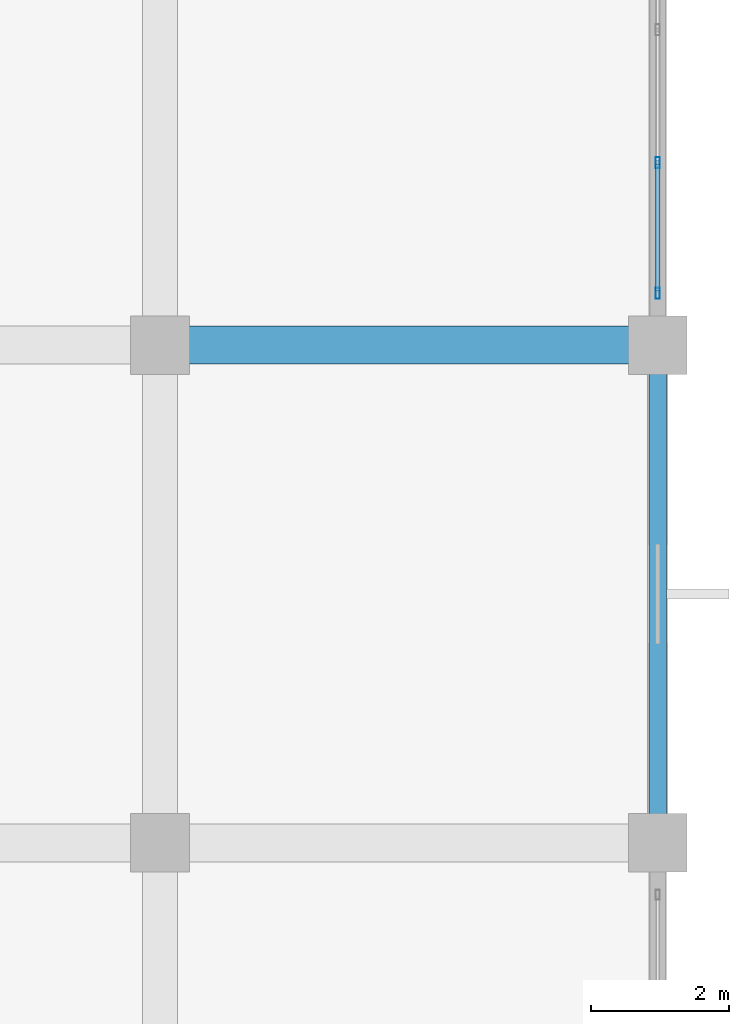
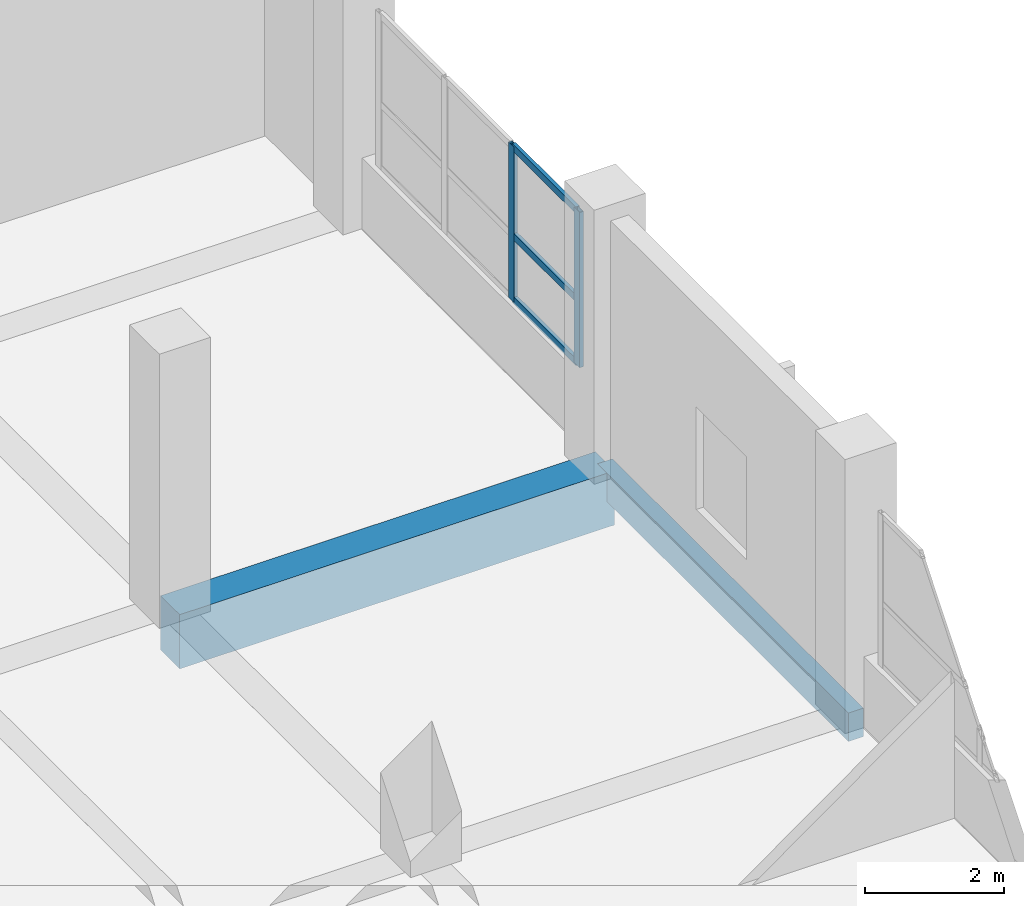
# One storey, part 124 of 181: 5 members, 2 beams, 1 element without a shape of its own.
"""IFC4 building model written with IfcOpenShell, lengths in metres."""

from ifc_helpers import new_model, si_unit, direction, frame, origin, origin_2d, place, context, subcontext, project, spatial, rectangle, hollow_rectangle, extrude, material, layer, layer_set, material_profile, profile_set, type_object, element, aggregate, save


model = new_model("IFC4")

# Units and contexts
model_context = context("Model", 3, precision=1e-05, world=origin(), true_north=direction((0.0, 1.0)))
body_context = subcontext(model_context, "Body", "Model", "MODEL_VIEW")
ifc_project = project(units=[si_unit("LENGTHUNIT", "METRE"), si_unit("AREAUNIT", "SQUARE_METRE"), si_unit("VOLUMEUNIT", "CUBIC_METRE"), si_unit("PLANEANGLEUNIT", "RADIAN"), si_unit("MASSUNIT", "GRAM", prefix="KILO")], contexts=[model_context])

# Site, building, storey
site_placement = place(None, origin())
site = spatial("IfcSite", under=ifc_project, at=site_placement, CompositionType="ELEMENT")
building_placement = place(site_placement, origin())
building = spatial("IfcBuilding", under=site, at=building_placement, Name="Seraya Terrace Polytechnic", CompositionType="ELEMENT")
storey_placement = place(building_placement, frame((0.0, 0.0, 4.800048828125)))
storey = spatial("IfcBuildingStorey", under=building, at=storey_placement, Name="L01", CompositionType="ELEMENT", Elevation=4.800048828125)

# Beam
ifc_material_1 = material(Name="Concrete C40/50", Category="concrete")
ifc_material_profile_1 = material_profile(ifc_material_1, rectangle(XDim=0.550048828125, YDim=0.949951171875, at=origin_2d()), Name="RC 550x950")
ifc_profile_set_1 = profile_set([ifc_material_profile_1], Name="Concrete C40/50")
beam_type_1 = type_object("IfcBeamType", Name="BM-03", PredefinedType="BEAM", material=ifc_profile_set_1)
beam_1_placement = place(storey_placement, frame((158.39990234375, 50.39990234375, -0.47509765625), z_axis=(1.0, 0.0, 0.0), x_axis=(0.0, 1.0, 0.0)))
element("IfcBeam", 1, at=beam_1_placement, inside=storey, type_object=beam_type_1, Name="Beam BM-03 L01 X (158.4..165.6, 50.4)", PredefinedType="BEAM", context=body_context, shape_type="SweptSolid", body=[
    extrude(rectangle(XDim=0.550048828125, YDim=0.949951171875, at=origin_2d()), origin(), (0.0, 0.0, 1.0), 7.2001953125),
])

# Curtain wall, members
ifc_material_2 = material(Name="Anodised aluminium EN AW-6063 T6", Category="aluminium")
ifc_layer = layer(ifc_material_2, 0.179931640625, Name="CW-23")
ifc_layer_set = layer_set([ifc_layer], Name="Anodised aluminium EN AW-6063 T6")
curtain_wall_type = type_object("IfcCurtainWallType", Name="CW-23", PredefinedType="NOTDEFINED", material=ifc_layer_set)
curtain_wall_placement = place(storey_placement, origin())
curtain_wall = element("IfcCurtainWall", 2, at=curtain_wall_placement, inside=storey, type_object=curtain_wall_type, Name="Unitised curtain wall CW-23 (CW-L01-023)", PredefinedType="NOTDEFINED")
ifc_material_profile_2 = material_profile(ifc_material_2, hollow_rectangle(XDim=0.06005859375, YDim=0.159912109375, WallThickness=0.00341796875, at=origin_2d()), Name="RHS 160x60x3.5")
ifc_profile_set_2 = profile_set([ifc_material_profile_2], Name="Anodised aluminium EN AW-6063 T6")
member_type_1 = type_object("IfcMemberType", Name="CWM-02", PredefinedType="MULLION", material=ifc_profile_set_2)
member_1_placement = place(storey_placement, frame((165.60009765625, 53.0400390625, 1.239990234375), z_axis=(0.0, 0.0, 1.0), x_axis=(1.0, 0.0, 0.0)))
member_1 = element("IfcMember", 3, at=member_1_placement, type_object=member_type_1, Name="CW-23 mullion 3", PredefinedType="MULLION", context=body_context, shape_type="SweptSolid", body=[
    extrude(hollow_rectangle(XDim=0.06005859375, YDim=0.159912109375, WallThickness=0.00341796875, at=origin_2d()), origin(), (0.0, 0.0, 1.0), 2.719970703125),
])
member_2_placement = place(storey_placement, frame((165.60009765625, 51.14990234375, 1.239990234375), z_axis=(0.0, 0.0, 1.0), x_axis=(1.0, 0.0, 0.0)))
member_2 = element("IfcMember", 4, at=member_2_placement, type_object=member_type_1, Name="CW-23 mullion 4", PredefinedType="MULLION", context=body_context, shape_type="SweptSolid", body=[
    extrude(hollow_rectangle(XDim=0.06005859375, YDim=0.159912109375, WallThickness=0.00341796875, at=origin_2d()), origin(), (0.0, 0.0, 1.0), 2.719970703125),
])
ifc_material_profile_3 = material_profile(ifc_material_2, hollow_rectangle(XDim=0.06005859375, YDim=0.1201171875, WallThickness=0.003173828125, at=origin_2d()), Name="RHS 120x60x3.2")
ifc_profile_set_3 = profile_set([ifc_material_profile_3], Name="Anodised aluminium EN AW-6063 T6")
member_type_2 = type_object("IfcMemberType", Name="CWT-02", PredefinedType="USERDEFINED", material=ifc_profile_set_3)
member_3_placement = place(storey_placement, frame((165.60009765625, 53.010009765625, 1.27001953125), z_axis=(0.0, -1.0, 0.0), x_axis=(1.0, 0.0, 0.0)))
member_3 = element("IfcMember", 5, at=member_3_placement, type_object=member_type_2, Name="CW-23 transom 3.1", ObjectType="TRANSOM", PredefinedType="USERDEFINED", context=body_context, shape_type="SweptSolid", body=[
    extrude(hollow_rectangle(XDim=0.06005859375, YDim=0.1201171875, WallThickness=0.003173828125, at=origin_2d()), origin(), (0.0, 0.0, 1.0), 1.830078125),
])
member_4_placement = place(storey_placement, frame((165.60009765625, 53.010009765625, 2.38232421875), z_axis=(0.0, -1.0, 0.0), x_axis=(1.0, 0.0, 0.0)))
member_4 = element("IfcMember", 6, at=member_4_placement, type_object=member_type_2, Name="CW-23 transom 3.2", ObjectType="TRANSOM", PredefinedType="USERDEFINED", context=body_context, shape_type="SweptSolid", body=[
    extrude(hollow_rectangle(XDim=0.06005859375, YDim=0.1201171875, WallThickness=0.003173828125, at=origin_2d()), origin(), (0.0, 0.0, 1.0), 1.830078125),
])
member_5_placement = place(storey_placement, frame((165.60009765625, 53.010009765625, 3.929931640625), z_axis=(0.0, -1.0, 0.0), x_axis=(1.0, 0.0, 0.0)))
member_5 = element("IfcMember", 7, at=member_5_placement, type_object=member_type_2, Name="CW-23 transom 3.3", ObjectType="TRANSOM", PredefinedType="USERDEFINED", context=body_context, shape_type="SweptSolid", body=[
    extrude(hollow_rectangle(XDim=0.06005859375, YDim=0.1201171875, WallThickness=0.003173828125, at=origin_2d()), origin(), (0.0, 0.0, 1.0), 1.830078125),
])
aggregate(curtain_wall, [member_1, member_2, member_3, member_4, member_5])

# Beam
ifc_material_profile_4 = material_profile(ifc_material_1, rectangle(XDim=0.25, YDim=0.5, at=origin_2d()), Name="RC 250x500")
ifc_profile_set_4 = profile_set([ifc_material_profile_4], Name="Concrete C40/50")
beam_type_2 = type_object("IfcBeamType", Name="SP-03", PredefinedType="SPANDREL", material=ifc_profile_set_4)
beam_2_placement = place(storey_placement, frame((165.60009765625, 43.199951171875, -0.25), z_axis=(0.0, 1.0, 0.0), x_axis=(-1.0, 0.0, 0.0)))
element("IfcBeam", 8, at=beam_2_placement, inside=storey, type_object=beam_type_2, Name="Beam SP-03 L01 Y (165.6, 43.2..50.4)", PredefinedType="SPANDREL", context=body_context, shape_type="SweptSolid", body=[
    extrude(rectangle(XDim=0.25, YDim=0.5, at=origin_2d()), origin(), (0.0, 0.0, 1.0), 7.199951171875),
])

save(model, "model.ifc")
